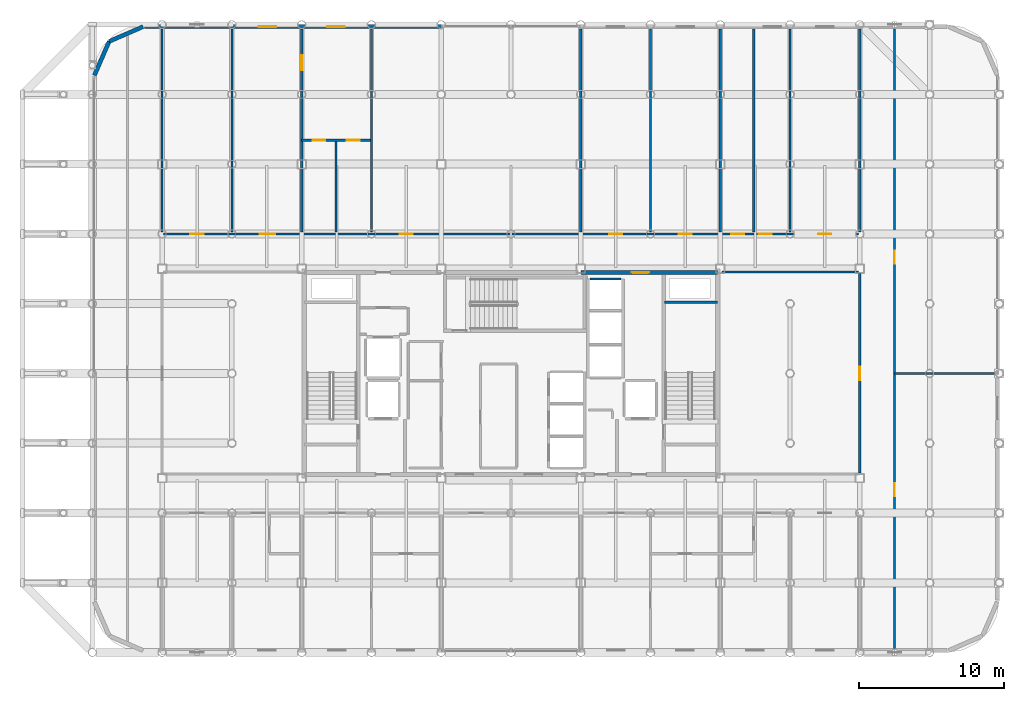
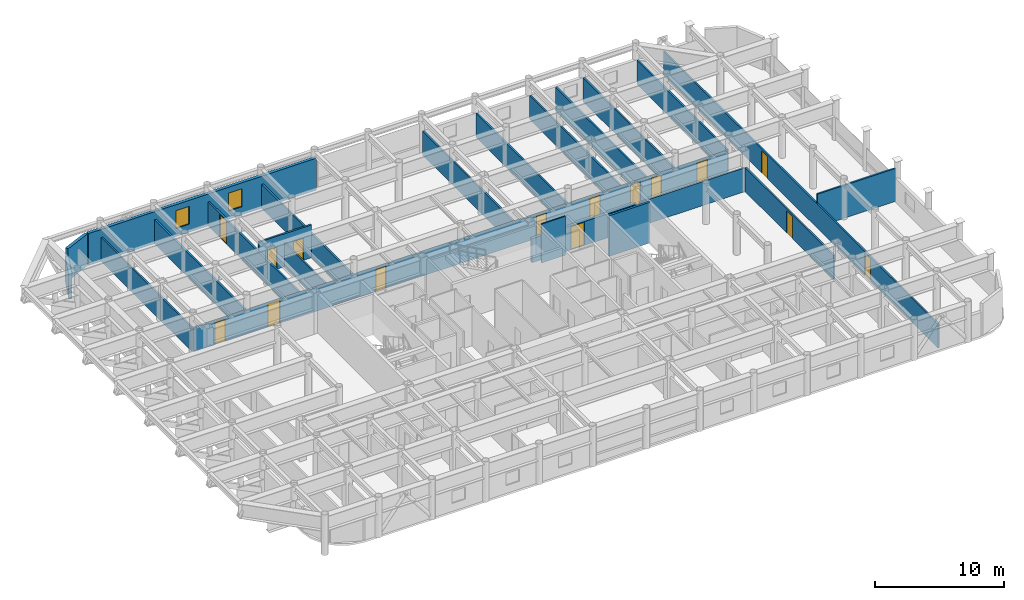
# One storey, part 25 of 27: 23 walls, 15 doors, 2 windows, 17 openings.
"""IFC4 building model written with IfcOpenShell, lengths in metres."""

from ifc_helpers import new_model, si_unit, direction, frame, frame_2d, origin, place, context, subcontext, project, spatial, rectangle, extrude, material, layer, layer_set, type_object, element, fill, save


model = new_model("IFC4")

# Units and contexts
model_context = context("Model", 3, precision=1e-05, world=origin(), true_north=direction((0.0, 1.0)))
body_context = subcontext(model_context, "Body", "Model", "MODEL_VIEW")
ifc_project = project(units=[si_unit("LENGTHUNIT", "METRE"), si_unit("AREAUNIT", "SQUARE_METRE"), si_unit("VOLUMEUNIT", "CUBIC_METRE"), si_unit("PLANEANGLEUNIT", "RADIAN"), si_unit("MASSUNIT", "GRAM", prefix="KILO")], contexts=[model_context])

# Site, building, storey
site_placement = place(None, origin())
site = spatial("IfcSite", under=ifc_project, at=site_placement, CompositionType="ELEMENT")
building_placement = place(site_placement, origin())
building = spatial("IfcBuilding", under=site, at=building_placement, Name="Kallvorn Hotel Tower", CompositionType="ELEMENT")
storey_placement = place(building_placement, frame((0.0, 0.0, 245.39990234375)))
storey = spatial("IfcBuildingStorey", under=building, at=storey_placement, Name="L61", CompositionType="ELEMENT", Elevation=245.39990234375)

# Wall, openings, doors
ifc_material_1 = material(Name="Fire-rated double-layer acoustic gypsum drywall EI 60")
ifc_layer_1 = layer(ifc_material_1, 0.159912109375)
ifc_layer_set_1 = layer_set([ifc_layer_1], Name="WL_DEMISE_160")
wall_type_1 = type_object("IfcWallType", Name="WL_DEMISE_160", PredefinedType="PARTITIONING", material=ifc_layer_set_1)
wall_1_placement = place(storey_placement, frame((-23.919921875, 9.60009765625, 0.0), z_axis=(0.0, 0.0, 1.0), x_axis=(1.0, 0.0, 0.0)))
wall_1 = element("IfcWall", 1, at=wall_1_placement, inside=storey, type_object=wall_type_1, Name="L61 Suite 6105 Junior Living Salon Partition", PredefinedType="PARTITIONING", context=body_context, shape_type="SweptSolid", body=[
    extrude(rectangle(XDim=47.83984375, YDim=0.159912109375, at=frame_2d((23.919921875, 0.0))), origin(), (0.0, 0.0, 1.0), 2.27001953125),
])
opening_1_placement = place(wall_1_placement, frame((1.8701171875, 0.0, 0.0)))
opening_1 = element("IfcOpeningElement", 2, at=opening_1_placement, cuts=wall_1, Name="Opening SVD1", PredefinedType="OPENING", context=body_context, shape_type="SweptSolid", body=[
    extrude(rectangle(XDim=0.89990234375, YDim=2.10009765625, at=frame_2d((0.449951171875, 1.050048828125))), frame((0.0, 0.094970703125, 0.0), z_axis=(0.0, -1.0, 0.0), x_axis=(1.0, 0.0, 0.0)), (0.0, 0.0, 1.0), 0.18994140625),
])
opening_2_placement = place(wall_1_placement, frame((45.070068359375, 0.0, 0.0)))
opening_2 = element("IfcOpeningElement", 3, at=opening_2_placement, cuts=wall_1, Name="Opening SVD1", PredefinedType="OPENING", context=body_context, shape_type="SweptSolid", body=[
    extrude(rectangle(XDim=0.89990234375, YDim=2.10009765625, at=frame_2d((0.449951171875, 1.050048828125))), frame((0.0, 0.094970703125, 0.0), z_axis=(0.0, -1.0, 0.0), x_axis=(1.0, 0.0, 0.0)), (0.0, 0.0, 1.0), 0.18994140625),
])
opening_3_placement = place(wall_1_placement, frame((6.635009765625, 0.0, 0.0)))
opening_3 = element("IfcOpeningElement", 4, at=opening_3_placement, cuts=wall_1, Name="Opening GD2", PredefinedType="OPENING", context=body_context, shape_type="SweptSolid", body=[
    extrude(rectangle(XDim=1.050048828125, YDim=2.199951171875, at=frame_2d((0.52490234375, 1.10009765625))), frame((0.0, 0.094970703125, 0.0), z_axis=(0.0, -1.0, 0.0), x_axis=(1.0, 0.0, 0.0)), (0.0, 0.0, 1.0), 0.18994140625),
])
opening_4_placement = place(wall_1_placement, frame((16.27001953125, 0.0, 0.0)))
opening_4 = element("IfcOpeningElement", 5, at=opening_4_placement, cuts=wall_1, Name="Opening SVD1", PredefinedType="OPENING", context=body_context, shape_type="SweptSolid", body=[
    extrude(rectangle(XDim=0.89990234375, YDim=2.10009765625, at=frame_2d((0.449951171875, 1.050048828125))), frame((0.0, 0.094970703125, 0.0), z_axis=(0.0, -1.0, 0.0), x_axis=(1.0, 0.0, 0.0)), (0.0, 0.0, 1.0), 0.18994140625),
])
opening_5_placement = place(wall_1_placement, frame((30.669921875, 0.0, 0.0)))
opening_5 = element("IfcOpeningElement", 6, at=opening_5_placement, cuts=wall_1, Name="Opening SVD1", PredefinedType="OPENING", context=body_context, shape_type="SweptSolid", body=[
    extrude(rectangle(XDim=0.89990234375, YDim=2.10009765625, at=frame_2d((0.449951171875, 1.050048828125))), frame((0.0, 0.094970703125, 0.0), z_axis=(0.0, -1.0, 0.0), x_axis=(1.0, 0.0, 0.0)), (0.0, 0.0, 1.0), 0.18994140625),
])
opening_6_placement = place(wall_1_placement, frame((35.469970703125, 0.0, 0.0)))
opening_6 = element("IfcOpeningElement", 7, at=opening_6_placement, cuts=wall_1, Name="Opening SVD1", PredefinedType="OPENING", context=body_context, shape_type="SweptSolid", body=[
    extrude(rectangle(XDim=0.89990234375, YDim=2.10009765625, at=frame_2d((0.449951171875, 1.050048828125))), frame((0.0, 0.094970703125, 0.0), z_axis=(0.0, -1.0, 0.0), x_axis=(1.0, 0.0, 0.0)), (0.0, 0.0, 1.0), 0.18994140625),
])
opening_7_placement = place(wall_1_placement, frame((39.070068359375, 0.0, 0.0)))
opening_7 = element("IfcOpeningElement", 8, at=opening_7_placement, cuts=wall_1, Name="Opening SVD1", PredefinedType="OPENING", context=body_context, shape_type="SweptSolid", body=[
    extrude(rectangle(XDim=0.89990234375, YDim=2.10009765625, at=frame_2d((0.449951171875, 1.050048828125))), frame((0.0, 0.094970703125, 0.0), z_axis=(0.0, -1.0, 0.0), x_axis=(1.0, 0.0, 0.0)), (0.0, 0.0, 1.0), 0.18994140625),
])
opening_8_placement = place(wall_1_placement, frame((40.9599609375, 0.0, 0.0)))
opening_8 = element("IfcOpeningElement", 9, at=opening_8_placement, cuts=wall_1, Name="Opening SVD1", PredefinedType="OPENING", context=body_context, shape_type="SweptSolid", body=[
    extrude(rectangle(XDim=0.89990234375, YDim=2.10009765625, at=frame_2d((0.449951171875, 1.050048828125))), frame((0.0, 0.094970703125, 0.0), z_axis=(0.0, -1.0, 0.0), x_axis=(1.0, 0.0, 0.0)), (0.0, 0.0, 1.0), 0.18994140625),
])
ifc_material_2 = material(Name="Galvanised painted steel fire-rated door assembly", Category="steel")
door_type_1 = type_object("IfcDoorType", Name="DR_SERV_900x2100", OperationType="NOTDEFINED", PredefinedType="DOOR", material=ifc_material_2)
door_1_placement = place(opening_1_placement, origin())
door_1 = element("IfcDoor", 10, at=door_1_placement, inside=storey, type_object=door_type_1, Name="L61 L61 High-Zone North-West Reading Salon Door", OperationType="SINGLE_SWING_LEFT", OverallHeight=2.10009765625, OverallWidth=0.89990234375, PredefinedType="DOOR", context=body_context, shape_type="SweptSolid", body=[
    extrude(rectangle(XDim=0.89990234375, YDim=2.10009765625, at=frame_2d((0.449951171875, 1.050048828125))), frame((0.0, 0.02490234375, 0.0), z_axis=(0.0, -1.0, 0.0), x_axis=(1.0, 0.0, 0.0)), (0.0, 0.0, 1.0), 0.050048828125),
])
fill(opening_1, door_1)
door_2_placement = place(opening_2_placement, origin())
door_2 = element("IfcDoor", 11, at=door_2_placement, inside=storey, type_object=door_type_1, Name="L61 L61 High-Zone North-East Pastry Bar Door", OperationType="SINGLE_SWING_LEFT", OverallHeight=2.10009765625, OverallWidth=0.89990234375, PredefinedType="DOOR", context=body_context, shape_type="SweptSolid", body=[
    extrude(rectangle(XDim=0.89990234375, YDim=2.10009765625, at=frame_2d((0.449951171875, 1.050048828125))), frame((0.0, 0.02490234375, 0.0), z_axis=(0.0, -1.0, 0.0), x_axis=(1.0, 0.0, 0.0)), (0.0, 0.0, 1.0), 0.050048828125),
])
fill(opening_2, door_2)
door_3_placement = place(opening_4_placement, origin())
door_3 = element("IfcDoor", 12, at=door_3_placement, inside=storey, type_object=door_type_1, Name="L61 L61 Restaurant Culinary Catering Kitchen 2 Door", OperationType="SINGLE_SWING_LEFT", OverallHeight=2.10009765625, OverallWidth=0.89990234375, PredefinedType="DOOR", context=body_context, shape_type="SweptSolid", body=[
    extrude(rectangle(XDim=0.89990234375, YDim=2.10009765625, at=frame_2d((0.449951171875, 1.050048828125))), frame((0.0, 0.02490234375, 0.0), z_axis=(0.0, -1.0, 0.0), x_axis=(1.0, 0.0, 0.0)), (0.0, 0.0, 1.0), 0.050048828125),
])
fill(opening_4, door_3)
door_4_placement = place(opening_5_placement, origin())
door_4 = element("IfcDoor", 13, at=door_4_placement, inside=storey, type_object=door_type_1, Name="L61 L61 Panoramic Club Sky Lounge 3-1 Door", OperationType="SINGLE_SWING_RIGHT", OverallHeight=2.10009765625, OverallWidth=0.89990234375, PredefinedType="DOOR", context=body_context, shape_type="SweptSolid", body=[
    extrude(rectangle(XDim=0.89990234375, YDim=2.10009765625, at=frame_2d((0.449951171875, 1.050048828125))), frame((0.0, 0.02490234375, 0.0), z_axis=(0.0, -1.0, 0.0), x_axis=(1.0, 0.0, 0.0)), (0.0, 0.0, 1.0), 0.050048828125),
])
fill(opening_5, door_4)
door_5_placement = place(opening_6_placement, origin())
door_5 = element("IfcDoor", 14, at=door_5_placement, inside=storey, type_object=door_type_1, Name="L61 L61 Panoramic Club Sky Lounge 3-2 Door", OperationType="SINGLE_SWING_LEFT", OverallHeight=2.10009765625, OverallWidth=0.89990234375, PredefinedType="DOOR", context=body_context, shape_type="SweptSolid", body=[
    extrude(rectangle(XDim=0.89990234375, YDim=2.10009765625, at=frame_2d((0.449951171875, 1.050048828125))), frame((0.0, 0.02490234375, 0.0), z_axis=(0.0, -1.0, 0.0), x_axis=(1.0, 0.0, 0.0)), (0.0, 0.0, 1.0), 0.050048828125),
])
fill(opening_6, door_5)
door_6_placement = place(opening_7_placement, origin())
door_6 = element("IfcDoor", 15, at=door_6_placement, inside=storey, type_object=door_type_1, Name="L61 Housekeeping and Linen Room Door", OperationType="SINGLE_SWING_LEFT", OverallHeight=2.10009765625, OverallWidth=0.89990234375, PredefinedType="DOOR", context=body_context, shape_type="SweptSolid", body=[
    extrude(rectangle(XDim=0.89990234375, YDim=2.10009765625, at=frame_2d((0.449951171875, 1.050048828125))), frame((0.0, 0.02490234375, 0.0), z_axis=(0.0, -1.0, 0.0), x_axis=(1.0, 0.0, 0.0)), (0.0, 0.0, 1.0), 0.050048828125),
])
fill(opening_7, door_6)
door_7_placement = place(opening_8_placement, origin())
door_7 = element("IfcDoor", 16, at=door_7_placement, inside=storey, type_object=door_type_1, Name="L61 Guest Tea and Refreshment Bar Door", OperationType="SINGLE_SWING_RIGHT", OverallHeight=2.10009765625, OverallWidth=0.89990234375, PredefinedType="DOOR", context=body_context, shape_type="SweptSolid", body=[
    extrude(rectangle(XDim=0.89990234375, YDim=2.10009765625, at=frame_2d((0.449951171875, 1.050048828125))), frame((0.0, 0.02490234375, 0.0), z_axis=(0.0, -1.0, 0.0), x_axis=(1.0, 0.0, 0.0)), (0.0, 0.0, 1.0), 0.050048828125),
])
fill(opening_8, door_7)
ifc_material_3 = material(Name="Solid-core walnut veneer fire-rated timber door leaf", Category="wood")
door_type_2 = type_object("IfcDoorType", Name="DR_SUITE_1050x2200", OperationType="NOTDEFINED", PredefinedType="DOOR", material=ifc_material_3)
door_8_placement = place(opening_3_placement, origin())
door_8 = element("IfcDoor", 17, at=door_8_placement, inside=storey, type_object=door_type_2, Name="L61 Suite 6105 Junior Living Salon Door", OperationType="SINGLE_SWING_LEFT", OverallHeight=2.199951171875, OverallWidth=1.050048828125, PredefinedType="DOOR", context=body_context, shape_type="SweptSolid", body=[
    extrude(rectangle(XDim=1.050048828125, YDim=2.199951171875, at=frame_2d((0.52490234375, 1.10009765625))), frame((0.0, 0.02490234375, 0.0), z_axis=(0.0, -1.0, 0.0), x_axis=(1.0, 0.0, 0.0)), (0.0, 0.0, 1.0), 0.050048828125),
])
fill(opening_3, door_8)

wall_2_placement = place(storey_placement, frame((-14.39990234375, 16.050048828125, 0.0), z_axis=(0.0, 0.0, 1.0), x_axis=(1.0, 0.0, 0.0)))
wall_2 = element("IfcWall", 18, at=wall_2_placement, inside=storey, type_object=wall_type_1, Name="L61 Suite 6105 Junior Bedroom Partition", PredefinedType="PARTITIONING", context=body_context, shape_type="SweptSolid", body=[
    extrude(rectangle(XDim=4.719970703125, YDim=0.159912109375, at=frame_2d((2.35986328125, 0.0))), origin(), (0.0, 0.0, 1.0), 3.1201171875),
])
opening_9_placement = place(wall_2_placement, frame((0.75, 0.0, 0.0)))
opening_9 = element("IfcOpeningElement", 19, at=opening_9_placement, cuts=wall_2, Name="Opening BD-I", PredefinedType="OPENING", context=body_context, shape_type="SweptSolid", body=[
    extrude(rectangle(XDim=0.860107421875, YDim=2.10009765625, at=frame_2d((0.43017578125, 1.050048828125))), frame((0.0, 0.094970703125, 0.0), z_axis=(0.0, -1.0, 0.0), x_axis=(1.0, 0.0, 0.0)), (0.0, 0.0, 1.0), 0.18994140625),
])
opening_10_placement = place(wall_2_placement, frame((3.090087890625, 0.0, 0.0)))
opening_10 = element("IfcOpeningElement", 20, at=opening_10_placement, cuts=wall_2, Name="Opening SVD1", PredefinedType="OPENING", context=body_context, shape_type="SweptSolid", body=[
    extrude(rectangle(XDim=0.89990234375, YDim=2.10009765625, at=frame_2d((0.449951171875, 1.050048828125))), frame((0.0, 0.094970703125, 0.0), z_axis=(0.0, -1.0, 0.0), x_axis=(1.0, 0.0, 0.0)), (0.0, 0.0, 1.0), 0.18994140625),
])
ifc_material_4 = material(Name="Solid-core walnut veneer fire-rated timber door leaf", Category="wood")
door_type_3 = type_object("IfcDoorType", Name="DR_BATH_860x2100", OperationType="NOTDEFINED", PredefinedType="DOOR", material=ifc_material_4)
door_9_placement = place(opening_9_placement, origin())
door_9 = element("IfcDoor", 21, at=door_9_placement, inside=storey, type_object=door_type_3, Name="L61 Suite 6105 En-Suite Bathroom Door", OperationType="SINGLE_SWING_RIGHT", OverallHeight=2.10009765625, OverallWidth=0.860107421875, PredefinedType="DOOR", context=body_context, shape_type="SweptSolid", body=[
    extrude(rectangle(XDim=0.860107421875, YDim=2.10009765625, at=frame_2d((0.43017578125, 1.050048828125))), frame((0.0, 0.02490234375, 0.0), z_axis=(0.0, -1.0, 0.0), x_axis=(1.0, 0.0, 0.0)), (0.0, 0.0, 1.0), 0.050048828125),
])
fill(opening_9, door_9)
door_10_placement = place(opening_10_placement, origin())
door_10 = element("IfcDoor", 22, at=door_10_placement, inside=storey, type_object=door_type_1, Name="L61 Suite 6105 Walk-In Dressing Closet Door", OperationType="SINGLE_SWING_RIGHT", OverallHeight=2.10009765625, OverallWidth=0.89990234375, PredefinedType="DOOR", context=body_context, shape_type="SweptSolid", body=[
    extrude(rectangle(XDim=0.89990234375, YDim=2.10009765625, at=frame_2d((0.449951171875, 1.050048828125))), frame((0.0, 0.02490234375, 0.0), z_axis=(0.0, -1.0, 0.0), x_axis=(1.0, 0.0, 0.0)), (0.0, 0.0, 1.0), 0.050048828125),
])
fill(opening_10, door_10)

# Wall
wall_3_placement = place(storey_placement, frame((-19.199951171875, 9.719970703125, 0.0), z_axis=(0.0, 0.0, 1.0), x_axis=(0.0, 1.0, 0.0)))
element("IfcWall", 23, at=wall_3_placement, inside=storey, type_object=wall_type_1, Name="L61 Suite 6105 Junior Living Salon Partition", PredefinedType="PARTITIONING", context=body_context, shape_type="SweptSolid", body=[
    extrude(rectangle(XDim=13.989990234375, YDim=0.159912109375, at=frame_2d((6.9951171875, 0.0))), origin(), (0.0, 0.0, 1.0), 2.27001953125),
])

# Wall, opening, door
wall_4_placement = place(storey_placement, frame((-14.39990234375, 9.719970703125, 0.0), z_axis=(0.0, 0.0, 1.0), x_axis=(0.0, 1.0, 0.0)))
wall_4 = element("IfcWall", 24, at=wall_4_placement, inside=storey, type_object=wall_type_1, Name="L61 Suite 6105 Junior Living Salon Partition", PredefinedType="PARTITIONING", context=body_context, shape_type="SweptSolid", body=[
    extrude(rectangle(XDim=13.989990234375, YDim=0.159912109375, at=frame_2d((6.9951171875, 0.0))), origin(), (0.0, 0.0, 1.0), 2.27001953125),
])
opening_11_placement = place(wall_4_placement, frame((11.136962890625, 0.0, 0.0)))
opening_11 = element("IfcOpeningElement", 25, at=opening_11_placement, cuts=wall_4, Name="Opening GD2", PredefinedType="OPENING", context=body_context, shape_type="SweptSolid", body=[
    extrude(rectangle(XDim=1.050048828125, YDim=2.199951171875, at=frame_2d((0.52490234375, 1.10009765625))), frame((0.0, 0.094970703125, 0.0), z_axis=(0.0, -1.0, 0.0), x_axis=(1.0, 0.0, 0.0)), (0.0, 0.0, 1.0), 0.18994140625),
])
door_11_placement = place(opening_11_placement, origin())
door_11 = element("IfcDoor", 26, at=door_11_placement, inside=storey, type_object=door_type_2, Name="L61 Suite 6105 Junior Bedroom Door", OperationType="SINGLE_SWING_RIGHT", OverallHeight=2.199951171875, OverallWidth=1.050048828125, PredefinedType="DOOR", context=body_context, shape_type="SweptSolid", body=[
    extrude(rectangle(XDim=1.050048828125, YDim=2.199951171875, at=frame_2d((0.52490234375, 1.10009765625))), frame((0.0, 0.02490234375, 0.0), z_axis=(0.0, -1.0, 0.0), x_axis=(1.0, 0.0, 0.0)), (0.0, 0.0, 1.0), 0.050048828125),
])
fill(opening_11, door_11)

# Walls
wall_5_placement = place(storey_placement, frame((-9.60009765625, 9.719970703125, 0.0), z_axis=(0.0, 0.0, 1.0), x_axis=(0.0, 1.0, 0.0)))
element("IfcWall", 27, at=wall_5_placement, inside=storey, type_object=wall_type_1, Name="L61 Suite 6105 Junior Bedroom Partition", PredefinedType="PARTITIONING", context=body_context, shape_type="SweptSolid", body=[
    extrude(rectangle(XDim=13.989990234375, YDim=0.159912109375, at=frame_2d((6.9951171875, 0.0))), origin(), (0.0, 0.0, 1.0), 2.27001953125),
])
ifc_material_5 = material(Name="Precast basalt-clad insulated concrete wall C40/50", Category="masonry")
ifc_layer_2 = layer(ifc_material_5, 0.280029296875)
ifc_layer_set_2 = layer_set([ifc_layer_2], Name="WL_EXT_LOGGIA_280")
wall_type_2 = type_object("IfcWallType", Name="WL_EXT_LOGGIA_280", PredefinedType="SOLIDWALL", material=ifc_layer_set_2)
wall_6_placement = place(storey_placement, frame((-25.32080078125, 23.85791015625, 0.0), z_axis=(0.0, 0.0, 1.0), x_axis=(-0.917060872934, -0.398747232384, 0.0)))
element("IfcWall", 28, at=wall_6_placement, inside=storey, type_object=wall_type_2, Name="L61 Rounded Corner Exterior Wall NW1", PredefinedType="SOLIDWALL", context=body_context, shape_type="SweptSolid", body=[
    extrude(rectangle(XDim=2.5361328125, YDim=0.280029296875, at=frame_2d((1.26806640625, 0.0))), origin(), (0.0, 0.0, 1.0), 3.02001953125),
])
wall_7_placement = place(storey_placement, frame((-27.646484375, 22.8466796875, 0.0), z_axis=(0.0, 0.0, 1.0), x_axis=(-0.398792985289, -0.917040977756, 0.0)))
element("IfcWall", 29, at=wall_7_placement, inside=storey, type_object=wall_type_2, Name="L61 Rounded Corner Exterior Wall NW2", PredefinedType="SOLIDWALL", context=body_context, shape_type="SweptSolid", body=[
    extrude(rectangle(XDim=2.536376953125, YDim=0.280029296875, at=frame_2d((1.26806640625, 0.0))), origin(), (0.0, 0.0, 1.0), 2.27001953125),
])

# Wall, openings, windows
wall_8_placement = place(storey_placement, frame((-25.199951171875, 23.860107421875, 0.0), z_axis=(0.0, 0.0, 1.0), x_axis=(1.0, 0.0, 0.0)))
wall_8 = element("IfcWall", 30, at=wall_8_placement, inside=storey, type_object=wall_type_2, Name="L61 Exterior Envelope Wall EW-L61-NW", PredefinedType="SOLIDWALL", context=body_context, shape_type="SweptSolid", body=[
    extrude(rectangle(XDim=20.449951171875, YDim=0.280029296875, at=frame_2d((10.22509765625, 0.0))), origin(), (0.0, 0.0, 1.0), 3.02001953125),
])
opening_12_placement = place(wall_8_placement, frame((7.840087890625, 0.0, 0.75)))
opening_12 = element("IfcOpeningElement", 31, at=opening_12_placement, cuts=wall_8, Name="Opening W06", PredefinedType="OPENING", context=body_context, shape_type="SweptSolid", body=[
    extrude(rectangle(XDim=1.199951171875, YDim=1.699951171875, at=frame_2d((0.60009765625, 0.85009765625))), frame((0.0, 0.155029296875, 0.0), z_axis=(0.0, -1.0, 0.0), x_axis=(1.0, 0.0, 0.0)), (0.0, 0.0, 1.0), 0.31005859375),
])
opening_13_placement = place(wall_8_placement, frame((12.56005859375, 0.0, 0.75)))
opening_13 = element("IfcOpeningElement", 32, at=opening_13_placement, cuts=wall_8, Name="Opening W06", PredefinedType="OPENING", context=body_context, shape_type="SweptSolid", body=[
    extrude(rectangle(XDim=1.199951171875, YDim=1.699951171875, at=frame_2d((0.60009765625, 0.85009765625))), frame((0.0, 0.155029296875, 0.0), z_axis=(0.0, -1.0, 0.0), x_axis=(1.0, 0.0, 0.0)), (0.0, 0.0, 1.0), 0.31005859375),
])
ifc_material_6 = material(Name="Triple-glazed low-e acoustic solar-control dark glass", Category="glass")
window_type = type_object("IfcWindowType", Name="WN_HTL_1200x1700", PartitioningType="SINGLE_PANEL", PredefinedType="WINDOW", material=ifc_material_6)
window_1_placement = place(opening_12_placement, origin())
window_1 = element("IfcWindow", 33, at=window_1_placement, inside=storey, type_object=window_type, Name="L61 Guestroom Exterior Window 10", OverallHeight=1.699951171875, OverallWidth=1.199951171875, PartitioningType="SINGLE_PANEL", PredefinedType="WINDOW", context=body_context, shape_type="SweptSolid", body=[
    extrude(rectangle(XDim=1.199951171875, YDim=1.699951171875, at=frame_2d((0.60009765625, 0.85009765625))), frame((0.0, 0.030029296875, 0.0), z_axis=(0.0, -1.0, 0.0), x_axis=(1.0, 0.0, 0.0)), (0.0, 0.0, 1.0), 0.06005859375),
])
fill(opening_12, window_1)
window_2_placement = place(opening_13_placement, origin())
window_2 = element("IfcWindow", 34, at=window_2_placement, inside=storey, type_object=window_type, Name="L61 Guestroom Exterior Window 11", OverallHeight=1.699951171875, OverallWidth=1.199951171875, PartitioningType="SINGLE_PANEL", PredefinedType="WINDOW", context=body_context, shape_type="SweptSolid", body=[
    extrude(rectangle(XDim=1.199951171875, YDim=1.699951171875, at=frame_2d((0.60009765625, 0.85009765625))), frame((0.0, 0.030029296875, 0.0), z_axis=(0.0, -1.0, 0.0), x_axis=(1.0, 0.0, 0.0)), (0.0, 0.0, 1.0), 0.06005859375),
])
fill(opening_13, window_2)

# Walls
ifc_material_7 = material(Name="Concrete C40/50", Category="concrete")
ifc_layer_3 = layer(ifc_material_7, 0.199951171875)
ifc_layer_set_3 = layer_set([ifc_layer_3], Name="WL_HOIST_200")
wall_type_3 = type_object("IfcWallType", Name="WL_HOIST_200", PredefinedType="SOLIDWALL", material=ifc_layer_set_3)
wall_9_placement = place(storey_placement, frame((10.550048828125, 4.89990234375, -0.179931640625), z_axis=(0.0, 0.0, 1.0), x_axis=(1.0, 0.0, 0.0)))
element("IfcWall", 35, at=wall_9_placement, inside=storey, type_object=wall_type_3, Name="L61 Stair ST2 North Wall", PredefinedType="SOLIDWALL", context=body_context, shape_type="SweptSolid", body=[
    extrude(rectangle(XDim=3.64990234375, YDim=0.199951171875, at=frame_2d((1.824951171875, 0.0))), origin(), (0.0, 0.0, 1.0), 3.85009765625),
])
ifc_material_8 = material(Name="Fire-rated double-layer acoustic gypsum drywall EI 60")
ifc_layer_4 = layer(ifc_material_8, 0.1201171875)
ifc_layer_set_4 = layer_set([ifc_layer_4], Name="WL_INT_120")
wall_type_4 = type_object("IfcWallType", Name="WL_INT_120", PredefinedType="PARTITIONING", material=ifc_layer_set_4)
wall_10_placement = place(storey_placement, frame((5.43994140625, 6.5, 0.0), z_axis=(0.0, 0.0, 1.0), x_axis=(1.0, 0.0, 0.0)))
element("IfcWall", 36, at=wall_10_placement, inside=storey, type_object=wall_type_4, Name="L61 OB-03 Hoistway Divider", PredefinedType="PARTITIONING", context=body_context, shape_type="SweptSolid", body=[
    extrude(rectangle(XDim=2.1201171875, YDim=0.1201171875, at=frame_2d((1.06005859375, 0.0))), origin(), (0.0, 0.0, 1.0), 3.670166015625),
])
ifc_material_9 = material(Name="Fire-rated double-layer acoustic gypsum drywall EI 60")
ifc_layer_5 = layer(ifc_material_9, 0.14990234375)
ifc_layer_set_5 = layer_set([ifc_layer_5], Name="WL_PART_150")
wall_type_5 = type_object("IfcWallType", Name="WL_PART_150", PredefinedType="PARTITIONING", material=ifc_layer_set_5)
wall_11_placement = place(storey_placement, frame((26.3798828125, 0.0, 0.0), z_axis=(0.0, 0.0, 1.0), x_axis=(1.0, 0.0, 0.0)))
element("IfcWall", 37, at=wall_11_placement, inside=storey, type_object=wall_type_5, Name="L61 L61 Outer East South Tasting Bar Partition", PredefinedType="PARTITIONING", context=body_context, shape_type="SweptSolid", body=[
    extrude(rectangle(XDim=7.050048828125, YDim=0.14990234375, at=frame_2d((3.52490234375, 0.0))), origin(), (0.0, 0.0, 1.0), 3.1201171875),
])
wall_12_placement = place(storey_placement, frame((14.52001953125, 6.97998046875, 0.0), z_axis=(0.0, 0.0, 1.0), x_axis=(1.0, 0.0, 0.0)))
element("IfcWall", 38, at=wall_12_placement, inside=storey, type_object=wall_type_5, Name="L61 L61 High-Zone Inner East Club Gallery Partition", PredefinedType="PARTITIONING", context=body_context, shape_type="SweptSolid", body=[
    extrude(rectangle(XDim=9.39990234375, YDim=0.14990234375, at=frame_2d((4.699951171875, 0.0))), origin(), (0.0, 0.0, 1.0), 2.27001953125),
])
wall_13_placement = place(storey_placement, frame((-24.0, 9.719970703125, 0.0), z_axis=(0.0, 0.0, 1.0), x_axis=(0.0, 1.0, 0.0)))
element("IfcWall", 39, at=wall_13_placement, inside=storey, type_object=wall_type_5, Name="L61 L61 High-Zone North-West Reading Salon Partition", PredefinedType="PARTITIONING", context=body_context, shape_type="SweptSolid", body=[
    extrude(rectangle(XDim=13.989990234375, YDim=0.14990234375, at=frame_2d((6.9951171875, 0.0))), origin(), (0.0, 0.0, 1.0), 2.27001953125),
])
wall_14_placement = place(storey_placement, frame((-12.0400390625, 9.719970703125, 0.0), z_axis=(0.0, 0.0, 1.0), x_axis=(0.0, 1.0, 0.0)))
element("IfcWall", 40, at=wall_14_placement, inside=storey, type_object=wall_type_5, Name="L61 Suite 6105 Walk-In Dressing Closet Partition", PredefinedType="PARTITIONING", context=body_context, shape_type="SweptSolid", body=[
    extrude(rectangle(XDim=6.2451171875, YDim=0.14990234375, at=frame_2d((3.12255859375, 0.0))), origin(), (0.0, 0.0, 1.0), 2.27001953125),
])
for number, where, z_axis, x_axis, name in (
    (41, (4.800048828125, 9.719970703125, 0.0), (0.0, 0.0, 1.0), (0.0, 1.0, 0.0), "L61 L61 Panoramic Club Sky Lounge 3-1 Partition"),
    (42, (9.60009765625, 9.719970703125, 0.0), (0.0, 0.0, 1.0), (0.0, 1.0, 0.0), "L61 L61 Panoramic Club Sky Lounge 3-1 Partition"),
    (43, (14.39990234375, 9.719970703125, 0.0), (0.0, 0.0, 1.0), (0.0, 1.0, 0.0), "L61 Housekeeping and Linen Room Partition"),
    (44, (16.705078125, 9.719970703125, 0.0), (0.0, 0.0, 1.0), (0.0, 1.0, 0.0), "L61 Guest Tea and Refreshment Bar Partition"),
    (45, (19.199951171875, 9.719970703125, 0.0), (0.0, 0.0, 1.0), (0.0, 1.0, 0.0), "L61 Guest Tea and Refreshment Bar Partition"),
):
    element("IfcWall", number, at=place(storey_placement, frame(where, z_axis=z_axis, x_axis=x_axis)), inside=storey, type_object=wall_type_5, Name=name, PredefinedType="PARTITIONING", context=body_context, shape_type="SweptSolid", body=[
        extrude(rectangle(XDim=13.989990234375, YDim=0.14990234375, at=frame_2d((6.9951171875, 0.0))), origin(), (0.0, 0.0, 1.0), 2.27001953125),
    ])

# Wall, opening, door
wall_15_placement = place(storey_placement, frame((24.0, -6.8349609375, 0.0), z_axis=(0.0, 0.0, 1.0), x_axis=(0.0, 1.0, 0.0)))
wall_15 = element("IfcWall", 46, at=wall_15_placement, inside=storey, type_object=wall_type_5, Name="L61 L61 High-Zone Inner East Club Gallery Partition", PredefinedType="PARTITIONING", context=body_context, shape_type="SweptSolid", body=[
    extrude(rectangle(XDim=13.72998046875, YDim=0.14990234375, at=frame_2d((6.864990234375, 0.0))), origin(), (0.0, 0.0, 1.0), 2.27001953125),
])
opening_14_placement = place(wall_15_placement, frame((6.385009765625, 0.0, 0.0)))
opening_14 = element("IfcOpeningElement", 47, at=opening_14_placement, cuts=wall_15, Name="Opening SVD1", PredefinedType="OPENING", context=body_context, shape_type="SweptSolid", body=[
    extrude(rectangle(XDim=0.89990234375, YDim=2.10009765625, at=frame_2d((0.449951171875, 1.050048828125))), frame((0.0, 0.08984375, 0.0), z_axis=(0.0, -1.0, 0.0), x_axis=(1.0, 0.0, 0.0)), (0.0, 0.0, 1.0), 0.179931640625),
])
door_12_placement = place(opening_14_placement, origin())
door_12 = element("IfcDoor", 48, at=door_12_placement, inside=storey, type_object=door_type_1, Name="L61 L61 High-Zone Inner East Club Gallery Door", OperationType="SINGLE_SWING_LEFT", OverallHeight=2.10009765625, OverallWidth=0.89990234375, PredefinedType="DOOR", context=body_context, shape_type="SweptSolid", body=[
    extrude(rectangle(XDim=0.89990234375, YDim=2.10009765625, at=frame_2d((0.449951171875, 1.050048828125))), frame((0.0, 0.02490234375, 0.0), z_axis=(0.0, -1.0, 0.0), x_axis=(1.0, 0.0, 0.0)), (0.0, 0.0, 1.0), 0.050048828125),
])
fill(opening_14, door_12)

# Wall
wall_16_placement = place(storey_placement, frame((24.0, 9.719970703125, 0.0), z_axis=(0.0, 0.0, 1.0), x_axis=(0.0, 1.0, 0.0)))
element("IfcWall", 49, at=wall_16_placement, inside=storey, type_object=wall_type_5, Name="L61 L61 High-Zone North-East Pastry Bar Partition", PredefinedType="PARTITIONING", context=body_context, shape_type="SweptSolid", body=[
    extrude(rectangle(XDim=13.989990234375, YDim=0.14990234375, at=frame_2d((6.9951171875, 0.0))), origin(), (0.0, 0.0, 1.0), 2.27001953125),
])

# Wall, openings, doors
wall_17_placement = place(storey_placement, frame((26.3798828125, -18.909912109375, 0.0), z_axis=(0.0, 0.0, 1.0), x_axis=(0.0, 1.0, 0.0)))
wall_17 = element("IfcWall", 50, at=wall_17_placement, inside=storey, type_object=wall_type_5, Name="L61 L61 Outer East South Tasting Bar Partition", PredefinedType="PARTITIONING", context=body_context, shape_type="SweptSolid", body=[
    extrude(rectangle(XDim=42.619873046875, YDim=0.14990234375, at=frame_2d((21.31005859375, 0.0))), origin(), (0.0, 0.0, 1.0), 2.27001953125),
])
opening_15_placement = place(wall_17_placement, frame((10.4599609375, 0.0, 0.0)))
opening_15 = element("IfcOpeningElement", 51, at=opening_15_placement, cuts=wall_17, Name="Opening SVD1", PredefinedType="OPENING", context=body_context, shape_type="SweptSolid", body=[
    extrude(rectangle(XDim=0.89990234375, YDim=2.10009765625, at=frame_2d((0.449951171875, 1.050048828125))), frame((0.0, 0.08984375, 0.0), z_axis=(0.0, -1.0, 0.0), x_axis=(1.0, 0.0, 0.0)), (0.0, 0.0, 1.0), 0.179931640625),
])
opening_16_placement = place(wall_17_placement, frame((26.4599609375, 0.0, 0.0)))
opening_16 = element("IfcOpeningElement", 52, at=opening_16_placement, cuts=wall_17, Name="Opening SVD1", PredefinedType="OPENING", context=body_context, shape_type="SweptSolid", body=[
    extrude(rectangle(XDim=0.89990234375, YDim=2.10009765625, at=frame_2d((0.449951171875, 1.050048828125))), frame((0.0, 0.08984375, 0.0), z_axis=(0.0, -1.0, 0.0), x_axis=(1.0, 0.0, 0.0)), (0.0, 0.0, 1.0), 0.179931640625),
])
door_13_placement = place(opening_15_placement, origin())
door_13 = element("IfcDoor", 53, at=door_13_placement, inside=storey, type_object=door_type_1, Name="L61 L61 Outer East South Tasting Bar Door", OperationType="SINGLE_SWING_LEFT", OverallHeight=2.10009765625, OverallWidth=0.89990234375, PredefinedType="DOOR", context=body_context, shape_type="SweptSolid", body=[
    extrude(rectangle(XDim=0.89990234375, YDim=2.10009765625, at=frame_2d((0.449951171875, 1.050048828125))), frame((0.0, 0.02490234375, 0.0), z_axis=(0.0, -1.0, 0.0), x_axis=(1.0, 0.0, 0.0)), (0.0, 0.0, 1.0), 0.050048828125),
])
fill(opening_15, door_13)
door_14_placement = place(opening_16_placement, origin())
door_14 = element("IfcDoor", 54, at=door_14_placement, inside=storey, type_object=door_type_1, Name="L61 L61 Outer East North Collectors Gallery Door", OperationType="SINGLE_SWING_LEFT", OverallHeight=2.10009765625, OverallWidth=0.89990234375, PredefinedType="DOOR", context=body_context, shape_type="SweptSolid", body=[
    extrude(rectangle(XDim=0.89990234375, YDim=2.10009765625, at=frame_2d((0.449951171875, 1.050048828125))), frame((0.0, 0.02490234375, 0.0), z_axis=(0.0, -1.0, 0.0), x_axis=(1.0, 0.0, 0.0)), (0.0, 0.0, 1.0), 0.050048828125),
])
fill(opening_16, door_14)

# Wall, opening, door
ifc_material_10 = material(Name="Concrete C40/50", Category="concrete")
ifc_layer_6 = layer(ifc_material_10, 0.25)
ifc_layer_set_6 = layer_set([ifc_layer_6], Name="WL_SHAFT_250")
wall_type_6 = type_object("IfcWallType", Name="WL_SHAFT_250", PredefinedType="SOLIDWALL", material=ifc_layer_set_6)
wall_18_placement = place(storey_placement, frame((4.800048828125, 6.949951171875, 0.0), z_axis=(0.0, 0.0, 1.0), x_axis=(1.0, 0.0, 0.0)))
wall_18 = element("IfcWall", 55, at=wall_18_placement, inside=storey, type_object=wall_type_6, Name="L61 Core North-East Wall", PredefinedType="SOLIDWALL", context=body_context, shape_type="SweptSolid", body=[
    extrude(rectangle(XDim=9.39990234375, YDim=0.25, at=frame_2d((4.699951171875, 0.0))), origin(), (0.0, 0.0, 1.0), 2.27001953125),
])
opening_17_placement = place(wall_18_placement, frame((3.5, 0.0, 0.0)))
opening_17 = element("IfcOpeningElement", 56, at=opening_17_placement, cuts=wall_18, Name="Opening FD2", PredefinedType="OPENING", context=body_context, shape_type="SweptSolid", body=[
    extrude(rectangle(XDim=1.199951171875, YDim=2.199951171875, at=frame_2d((0.60009765625, 1.10009765625))), frame((0.0, 0.139892578125, 0.0), z_axis=(0.0, -1.0, 0.0), x_axis=(1.0, 0.0, 0.0)), (0.0, 0.0, 1.0), 0.280029296875),
])
ifc_material_11 = material(Name="Galvanised painted steel fire-rated door assembly", Category="steel")
door_type_4 = type_object("IfcDoorType", Name="DR_LOBBY_1200x2200", OperationType="DOUBLE_DOOR_SINGLE_SWING", PredefinedType="DOOR", material=ifc_material_11)
door_15_placement = place(opening_17_placement, origin())
door_15 = element("IfcDoor", 57, at=door_15_placement, inside=storey, type_object=door_type_4, Name="L61 Observatory Shuttle Lobby Door", OperationType="DOUBLE_DOOR_SINGLE_SWING", OverallHeight=2.199951171875, OverallWidth=1.199951171875, PredefinedType="DOOR", context=body_context, shape_type="SweptSolid", body=[
    extrude(rectangle(XDim=1.199951171875, YDim=2.199951171875, at=frame_2d((0.60009765625, 1.10009765625))), frame((0.0, 0.02490234375, 0.0), z_axis=(0.0, -1.0, 0.0), x_axis=(1.0, 0.0, 0.0)), (0.0, 0.0, 1.0), 0.050048828125),
])
fill(opening_17, door_15)

save(model, "model.ifc")
